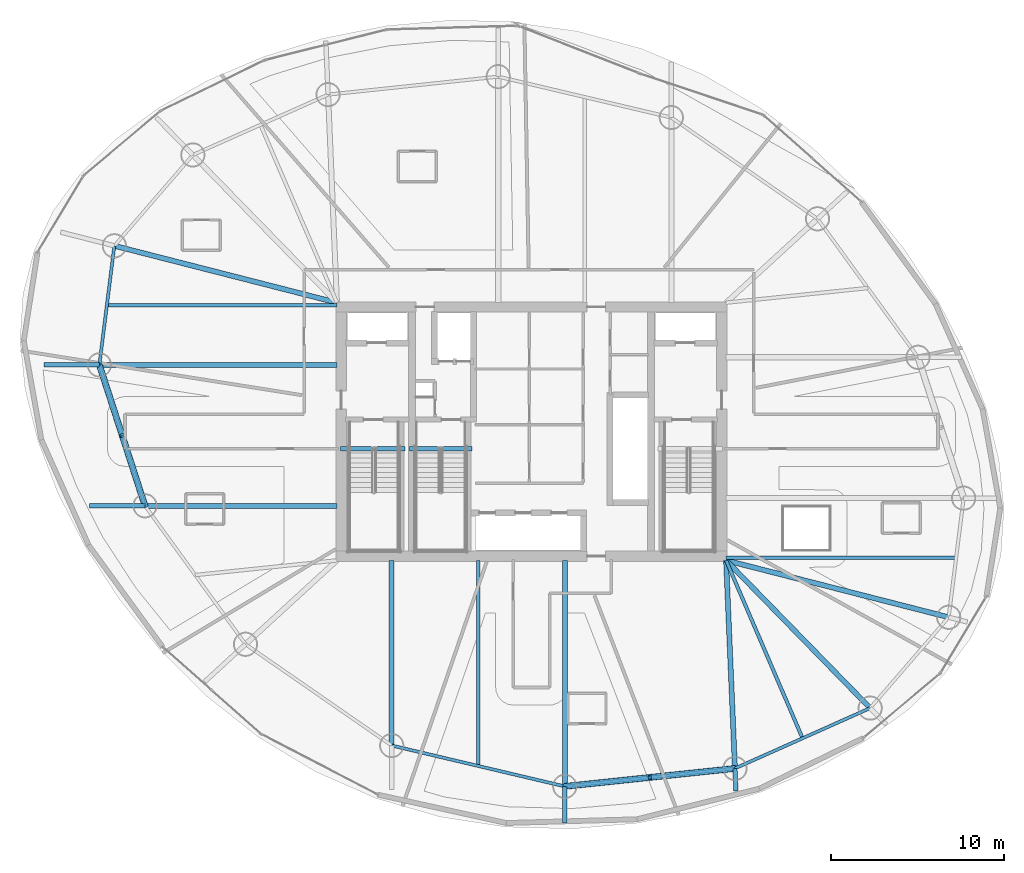
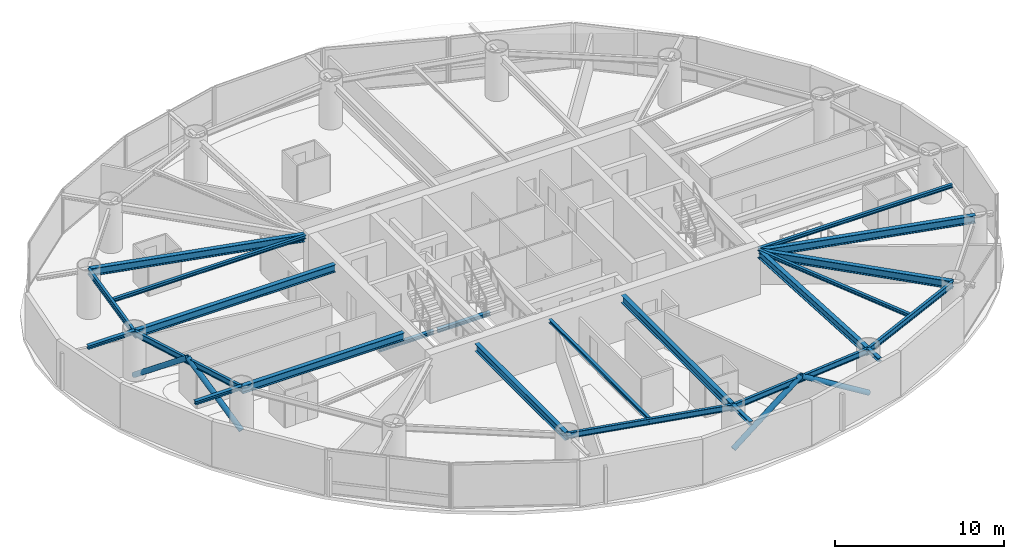
# One storey, part 4 of 20: 23 beams, 4 members.
"""IFC4 building model written with IfcOpenShell, lengths in metres."""

import ifcopenshell
import ifcopenshell.guid

model = None  # the IFC model being written
_history = None  # IfcOwnerHistory: only IFC2X3 demands one
_inside = {}  # id of a spatial element -> (the spatial element, [elements in it])
_under = {}  # id of a project, library or spatial element -> (it, [spatial elements below it])
_declared = {}  # id of a project -> (the project, [libraries it declares])
_typed = {}  # id of a type object -> (the type object, [elements of that type])
_made_of = {}  # id of a material, layer set ... -> (it, [elements and type objects made of it])


def new_model(schema):
    """Start an empty IFC model of exactly this schema.

    Asked for "IFC4X3", IfcOpenShell would pick the latest addendum, in which some entities
    have other attributes; the version numbers below select the first issue.
    IFC2X3 requires an IfcOwnerHistory on every rooted entity: one is made here for all.
    """
    global model, _history
    if schema == "IFC4X3":
        model = ifcopenshell.file(schema_version=(4, 3, 0, 0))
    else:
        model = ifcopenshell.file(schema=schema)
    _inside.clear()
    _under.clear()
    _declared.clear()
    _typed.clear()
    _made_of.clear()
    _history = None
    if model.schema == "IFC2X3":
        org = make("IfcOrganization", Name="unknown")
        user = make(
            "IfcPersonAndOrganization",
            ThePerson=make("IfcPerson", FamilyName="unknown"),
            TheOrganization=org,
        )
        app = make(
            "IfcApplication",
            ApplicationDeveloper=org,
            Version="unknown",
            ApplicationFullName="unknown",
            ApplicationIdentifier="unknown",
        )
        _history = make(
            "IfcOwnerHistory",
            OwningUser=user,
            OwningApplication=app,
            ChangeAction="ADDED",
            CreationDate=0,
        )
    return model


def make(cls, **values):
    """One entity of the class cls with the attributes given. An attribute that is None is left unset."""
    return model.create_entity(
        cls, **{name: value for name, value in values.items() if value is not None}
    )


def rooted(cls, **values):
    """An entity with a GlobalId (a new one), such as an element, a storey or a relation."""
    return make(cls, GlobalId=ifcopenshell.guid.new(), OwnerHistory=_history, **values)


def si_unit(unit_type, name, prefix=None):
    """IfcSIUnit, for example si_unit("LENGTHUNIT", "METRE", prefix="MILLI")."""
    return make("IfcSIUnit", UnitType=unit_type, Prefix=prefix, Name=name)


def assignment(units):
    """IfcUnitAssignment: the units of a project."""
    return None if units is None else make("IfcUnitAssignment", Units=units)


def point(xyz):
    """IfcCartesianPoint."""
    return None if xyz is None else make("IfcCartesianPoint", Coordinates=xyz)


def direction(xyz):
    """IfcDirection."""
    return None if xyz is None else make("IfcDirection", DirectionRatios=xyz)


def frame(location, z_axis=None, x_axis=None):
    """IfcAxis2Placement3D, a coordinate frame: its origin and axes. An axis left out is left unset."""
    return make(
        "IfcAxis2Placement3D",
        Location=point(location),
        Axis=direction(z_axis),
        RefDirection=direction(x_axis),
    )


def frame_2d(location, x_axis=None):
    """IfcAxis2Placement2D, a coordinate frame in the plane: its origin and x axis."""
    return make(
        "IfcAxis2Placement2D", Location=point(location), RefDirection=direction(x_axis)
    )


def origin():
    """The frame at (0, 0, 0) with its axes left unset."""
    return frame((0.0, 0.0, 0.0))


def origin_2d():
    """The frame at (0, 0) in the plane with its x axis left unset."""
    return frame_2d((0.0, 0.0))


def place(relative_to, where):
    """IfcLocalPlacement: puts the frame where relative to a parent placement (None: the world)."""
    return make(
        "IfcLocalPlacement", PlacementRelTo=relative_to, RelativePlacement=where
    )


def context(
    kind, dimensions, precision=None, world=None, true_north=None, identifier=None
):
    """IfcGeometricRepresentationContext, for example the 3D "Model" context."""
    return make(
        "IfcGeometricRepresentationContext",
        ContextIdentifier=identifier,
        ContextType=kind,
        CoordinateSpaceDimension=dimensions,
        Precision=precision,
        WorldCoordinateSystem=world,
        TrueNorth=true_north,
    )


def subcontext(parent, identifier, kind, view, scale=None):
    """IfcGeometricRepresentationSubContext, for example "Body" below "Model"."""
    return make(
        "IfcGeometricRepresentationSubContext",
        ContextIdentifier=identifier,
        ContextType=kind,
        ParentContext=parent,
        TargetScale=scale,
        TargetView=view,
    )


def project(units=None, contexts=None):
    """IfcProject with its units and contexts."""
    return rooted(
        "IfcProject",
        Name="project",
        RepresentationContexts=contexts,
        UnitsInContext=assignment(units),
    )


def spatial(cls, under=None, at=None, **own):
    """A site, building, storey or space (cls), placed at a placement, below another one or the project."""
    s = rooted(cls, ObjectPlacement=at, **own)
    if under is not None:
        _under.setdefault(under.id(), (under, []))[1].append(s)
    return s


def profile(cls, at=None, kind="AREA", **sizes):
    """A parametric profile (cls). Its sizes go by their IFC names, for example OverallWidth=200.0."""
    return make(cls, ProfileType=kind, Position=at, **sizes)


def hollow_circle(**sizes):
    """IfcCircleHollowProfileDef."""
    return profile("IfcCircleHollowProfileDef", **sizes)


def i_section(**sizes):
    """IfcIShapeProfileDef."""
    return profile("IfcIShapeProfileDef", **sizes)


def extrude(swept, where, along, depth):
    """IfcExtrudedAreaSolid: the profile swept, set in the frame where, extruded along a direction by depth."""
    return make(
        "IfcExtrudedAreaSolid",
        SweptArea=swept,
        Position=where,
        ExtrudedDirection=direction(along),
        Depth=depth,
    )


def shape(context_of_items, identifier, shape_type, items):
    """IfcShapeRepresentation: the items that make up one representation, for example the "Body"."""
    return make(
        "IfcShapeRepresentation",
        ContextOfItems=context_of_items,
        RepresentationIdentifier=identifier,
        RepresentationType=shape_type,
        Items=items,
    )


def material(Name=None, Category=None):
    """IfcMaterial."""
    return make("IfcMaterial", Name=Name, Category=Category)


def material_profile(
    of_material, cross_section, Name=None, Category=None, Priority=None
):
    """IfcMaterialProfile: a cross section and its material."""
    return make(
        "IfcMaterialProfile",
        Name=Name,
        Material=of_material,
        Profile=cross_section,
        Priority=Priority,
        Category=Category,
    )


def profile_set(profiles, Name=None, composite=None):
    """IfcMaterialProfileSet."""
    return make(
        "IfcMaterialProfileSet",
        Name=Name,
        MaterialProfiles=profiles,
        CompositeProfile=composite,
    )


def made_of(thing, what):
    """Note that an element or type object is made of a material, layer set ...; save() writes the relation."""
    if what is not None:
        _made_of.setdefault(what.id(), (what, []))[1].append(thing)
    return thing


def type_object(cls, material=None, **own):
    """A type object (cls), such as IfcWallType, which elements share."""
    return made_of(rooted(cls, **own), material)


def element(
    cls,
    number,
    at=None,
    inside=None,
    cuts=None,
    type_object=None,
    material=None,
    context=None,
    identifier="Body",
    shape_type=None,
    held_by="IfcProductDefinitionShape",
    body=None,
    shapes=None,
    **own,
):
    """One element of the class cls, such as IfcWall. Its Tag is "e" and its number.

    at: its placement. inside: the storey or other place that contains it. cuts: it is an
    opening in that element (IfcRelVoidsElement). A single representation is given by context,
    identifier, shape_type and body (its items); several are given by shapes. held_by: the class
    of the entity that holds the representations. save() writes the other relations.
    """
    e = rooted(cls, Tag="e%d" % number, ObjectPlacement=at, **own)
    if body is not None:
        shapes = [shape(context, identifier, shape_type, body)]
    if shapes is not None:
        e.Representation = make(held_by, Representations=shapes)
    if inside is not None:
        _inside.setdefault(inside.id(), (inside, []))[1].append(e)
    if cuts is not None:
        rooted(
            "IfcRelVoidsElement", RelatingBuildingElement=cuts, RelatedOpeningElement=e
        )
    if type_object is not None:
        _typed.setdefault(type_object.id(), (type_object, []))[1].append(e)
    return made_of(e, material)


def aggregate(whole, parts):
    """IfcRelAggregates: a whole, such as a stair, and the parts it consists of."""
    return rooted("IfcRelAggregates", RelatingObject=whole, RelatedObjects=parts)


def save(model, path):
    """Write the relations noted so far, then the file.

    IfcRelAggregates (storeys below a building ...), IfcRelContainedInSpatialStructure (elements
    in a storey), IfcRelDefinesByType, IfcRelAssociatesMaterial and IfcRelDeclares: one each for
    every whole, place, type object, material and project.
    """
    for whole, parts in _under.values():
        aggregate(whole, parts)
    for where, things in _inside.values():
        rooted(
            "IfcRelContainedInSpatialStructure",
            RelatedElements=things,
            RelatingStructure=where,
        )
    for kind, things in _typed.values():
        rooted("IfcRelDefinesByType", RelatedObjects=things, RelatingType=kind)
    for what, things in _made_of.values():
        rooted("IfcRelAssociatesMaterial", RelatedObjects=things, RelatingMaterial=what)
    for by, libraries in _declared.values():
        rooted("IfcRelDeclares", RelatingContext=by, RelatedDefinitions=libraries)
    model.write(path)


model = new_model("IFC4")

# Units and contexts
model_context = context("Model", 3, precision=1e-05, world=origin(), true_north=direction((0.0, 1.0)))
body_context = subcontext(model_context, "Body", "Model", "MODEL_VIEW")
ifc_project = project(units=[si_unit("LENGTHUNIT", "METRE"), si_unit("AREAUNIT", "SQUARE_METRE"), si_unit("VOLUMEUNIT", "CUBIC_METRE"), si_unit("PLANEANGLEUNIT", "RADIAN"), si_unit("MASSUNIT", "GRAM", prefix="KILO")], contexts=[model_context])

# Site, building, storey
site_placement = place(None, origin())
site = spatial("IfcSite", under=ifc_project, at=site_placement, CompositionType="ELEMENT")
building_placement = place(site_placement, origin())
building = spatial("IfcBuilding", under=site, at=building_placement, Name="Bramvorn Convention Spire", CompositionType="ELEMENT")
storey_placement = place(building_placement, frame((0.0, 0.0, 113.300048828125)))
storey = spatial("IfcBuildingStorey", under=building, at=storey_placement, Name="L27", CompositionType="ELEMENT", Elevation=113.300048828125)

# Beams
ifc_material = material(Name="Steel CSA G40.21 Grade 350 (350W)", Category="steel")
ifc_material_profile_1 = material_profile(ifc_material, i_section(OverallWidth=0.201904296875, OverallDepth=0.2470703125, WebThickness=0.00732421875, FlangeThickness=0.010986328125, FilletRadius=0.011962890625, at=origin_2d()))
ifc_profile_set_1 = profile_set([ifc_material_profile_1], Name="Steel CSA G40.21 Grade 350 (350W) - W250X49")
beam_type_1 = type_object("IfcBeamType", Name="BM-W250X49", PredefinedType="JOIST", material=ifc_profile_set_1)
for number, where, z_axis, x_axis, name in (
    (1, (49.25, 18.705078125, 3.136474609375), (1.0, 0.0, 0.0), (0.0, 1.0, 0.0), "L27 composite floor joist 01"),
    (2, (26.75, 33.294921875, 3.136474609375), (-1.0, 0.0, 0.0), (0.0, -1.0, 0.0), "L27 composite floor joist 09"),
):
    element("IfcBeam", number, at=place(storey_placement, frame(where, z_axis=z_axis, x_axis=x_axis)), inside=storey, type_object=beam_type_1, Name=name, PredefinedType="JOIST", context=body_context, shape_type="SweptSolid", body=[
        extrude(i_section(OverallWidth=0.201904296875, OverallDepth=0.2470703125, WebThickness=0.00732421875, FlangeThickness=0.010986328125, FilletRadius=0.011962890625, at=origin_2d()), origin(), (0.0, 0.0, 1.0), 13.30078125),
    ])
beam_1_placement = place(storey_placement, frame((34.920654296875, 18.550048828125, 3.136474609375), z_axis=(0.0, -1.0, 0.0), x_axis=(1.0, 0.0, 0.0)))
element("IfcBeam", 3, at=beam_1_placement, inside=storey, type_object=beam_type_1, Name="L27 composite floor joist 13", PredefinedType="JOIST", context=body_context, shape_type="SweptSolid", body=[
    extrude(i_section(OverallWidth=0.201904296875, OverallDepth=0.2470703125, WebThickness=0.00732421875, FlangeThickness=0.010986328125, FilletRadius=0.011962890625, at=origin_2d()), origin(), (0.0, 0.0, 1.0), 11.8857421875),
])
beam_2_placement = place(storey_placement, frame((49.25, 18.550048828125, 3.136474609375), z_axis=(0.394937739893, -0.918707886985, 0.0), x_axis=(0.918707886985, 0.394937739893, 0.0)))
element("IfcBeam", 4, at=beam_2_placement, inside=storey, type_object=beam_type_1, Name="L27 composite floor joist 15", PredefinedType="JOIST", context=body_context, shape_type="SweptSolid", body=[
    extrude(i_section(OverallWidth=0.201904296875, OverallDepth=0.2470703125, WebThickness=0.00732421875, FlangeThickness=0.010986328125, FilletRadius=0.011962890625, at=origin_2d()), origin(), (0.0, 0.0, 1.0), 11.19384765625),
])
ifc_material_profile_2 = material_profile(ifc_material, i_section(OverallWidth=0.25390625, OverallDepth=0.2529296875, WebThickness=0.008544921875, FlangeThickness=0.01416015625, FilletRadius=0.011962890625, at=origin_2d()))
ifc_profile_set_2 = profile_set([ifc_material_profile_2], Name="Steel CSA G40.21 Grade 350 (350W) - W250X73")
beam_type_2 = type_object("IfcBeamType", Name="BM-W250X73", PredefinedType="BEAM", material=ifc_profile_set_2)
for number, where, z_axis, x_axis, name in (
    (5, (13.016357421875, 29.851806640625, 3.133544921875), (-1.0, 0.0, 0.0), (0.0, -1.0, 0.0), "L27 slab-edge cantilever tip beam MC10"),
    (6, (15.654296875, 21.706787109375, 3.133544921875), (-1.0, 0.0, 0.0), (0.0, -1.0, 0.0), "L27 slab-edge cantilever tip beam MC11"),
):
    element("IfcBeam", number, at=place(storey_placement, frame(where, z_axis=z_axis, x_axis=x_axis)), inside=storey, type_object=beam_type_2, Name=name, PredefinedType="BEAM", context=body_context, shape_type="SweptSolid", body=[
        extrude(i_section(OverallWidth=0.25390625, OverallDepth=0.2529296875, WebThickness=0.008544921875, FlangeThickness=0.01416015625, FilletRadius=0.011962890625, at=origin_2d()), origin(), (0.0, 0.0, 1.0), 3.199951171875),
    ])
beam_3_placement = place(storey_placement, frame((39.924072265625, 5.482666015625, 3.133544921875), z_axis=(0.0, -1.0, 0.0), x_axis=(1.0, 0.0, 0.0)))
element("IfcBeam", 7, at=beam_3_placement, inside=storey, type_object=beam_type_2, Name="L27 slab-edge cantilever tip beam MC14", PredefinedType="BEAM", context=body_context, shape_type="SweptSolid", body=[
    extrude(i_section(OverallWidth=0.25390625, OverallDepth=0.2529296875, WebThickness=0.008544921875, FlangeThickness=0.01416015625, FilletRadius=0.011962890625, at=origin_2d()), origin(), (0.0, 0.0, 1.0), 2.125),
])
beam_4_placement = place(storey_placement, frame((49.76171875, 6.521240234375, 3.133544921875), z_axis=(0.04255054589, -0.99909431539, 0.0), x_axis=(0.99909431539, 0.04255054589, 0.0)))
element("IfcBeam", 8, at=beam_4_placement, inside=storey, type_object=beam_type_2, Name="L27 slab-edge cantilever tip beam MC15", PredefinedType="BEAM", context=body_context, shape_type="SweptSolid", body=[
    extrude(i_section(OverallWidth=0.25390625, OverallDepth=0.2529296875, WebThickness=0.008544921875, FlangeThickness=0.01416015625, FilletRadius=0.011962890625, at=origin_2d()), origin(), (0.0, 0.0, 1.0), 1.302490234375),
])
beam_5_placement = place(storey_placement, frame((26.949951171875, 25.010009765625, -0.12646484375), z_axis=(1.0, 0.0, 0.0), x_axis=(0.0, 1.0, 0.0)))
element("IfcBeam", 9, at=beam_5_placement, inside=storey, type_object=beam_type_2, Name="L27 ST1 stair arrival header beam", PredefinedType="BEAM", context=body_context, shape_type="SweptSolid", body=[
    extrude(i_section(OverallWidth=0.25390625, OverallDepth=0.2529296875, WebThickness=0.008544921875, FlangeThickness=0.01416015625, FilletRadius=0.011962890625, at=origin_2d()), origin(), (0.0, 0.0, 1.0), 3.739990234375),
])
beam_6_placement = place(storey_placement, frame((30.949951171875, 25.010009765625, -0.12646484375), z_axis=(1.0, 0.0, 0.0), x_axis=(0.0, 1.0, 0.0)))
element("IfcBeam", 10, at=beam_6_placement, inside=storey, type_object=beam_type_2, Name="L27 ST3 stair arrival header beam", PredefinedType="BEAM", context=body_context, shape_type="SweptSolid", body=[
    extrude(i_section(OverallWidth=0.25390625, OverallDepth=0.2529296875, WebThickness=0.008544921875, FlangeThickness=0.01416015625, FilletRadius=0.011962890625, at=origin_2d()), origin(), (0.0, 0.0, 1.0), 3.610107421875),
])
ifc_material_profile_3 = material_profile(ifc_material, i_section(OverallWidth=0.180908203125, OverallDepth=0.4169921875, WebThickness=0.010986328125, FlangeThickness=0.018310546875, FilletRadius=0.01611328125, at=origin_2d()))
ifc_profile_set_3 = profile_set([ifc_material_profile_3], Name="Steel CSA G40.21 Grade 350 (350W) - W410X85")
beam_type_3 = type_object("IfcBeamType", Name="BM-W410X85", PredefinedType="JOIST", material=ifc_profile_set_3)
beam_7_placement = place(storey_placement, frame((13.88232421875, 36.73779296875, 3.051513671875), z_axis=(-0.124775053879, -0.992185056292, 0.0), x_axis=(0.992185056292, -0.124775053879, 0.0)))
element("IfcBeam", 11, at=beam_7_placement, inside=storey, type_object=beam_type_3, Name="L27 mega-column ring beam 09", PredefinedType="JOIST", context=body_context, shape_type="SweptSolid", body=[
    extrude(i_section(OverallWidth=0.180908203125, OverallDepth=0.4169921875, WebThickness=0.010986328125, FlangeThickness=0.018310546875, FilletRadius=0.01611328125, at=origin_2d()), origin(), (0.0, 0.0, 1.0), 6.940185546875),
])
beam_8_placement = place(storey_placement, frame((13.016357421875, 29.851806640625, 3.051513671875), z_axis=(0.308114853612, -0.951349166701, 0.0), x_axis=(0.951349166701, 0.308114853612, 0.0)))
element("IfcBeam", 12, at=beam_8_placement, inside=storey, type_object=beam_type_3, Name="L27 mega-column ring beam 10", PredefinedType="JOIST", context=body_context, shape_type="SweptSolid", body=[
    extrude(i_section(OverallWidth=0.180908203125, OverallDepth=0.4169921875, WebThickness=0.010986328125, FlangeThickness=0.018310546875, FilletRadius=0.01611328125, at=origin_2d()), origin(), (0.0, 0.0, 1.0), 8.5615234375),
])
beam_9_placement = place(storey_placement, frame((29.917236328125, 7.845947265625, 3.051513671875), z_axis=(0.97322750491, -0.229843911572, 0.0), x_axis=(0.229843911572, 0.97322750491, 0.0)))
element("IfcBeam", 13, at=beam_9_placement, inside=storey, type_object=beam_type_3, Name="L27 mega-column ring beam 13", PredefinedType="JOIST", context=body_context, shape_type="SweptSolid", body=[
    extrude(i_section(OverallWidth=0.180908203125, OverallDepth=0.4169921875, WebThickness=0.010986328125, FlangeThickness=0.018310546875, FilletRadius=0.01611328125, at=origin_2d()), origin(), (0.0, 0.0, 1.0), 10.2822265625),
])
beam_10_placement = place(storey_placement, frame((39.924072265625, 5.482666015625, 3.051513671875), z_axis=(0.994473491975, 0.104987969596, 0.0), x_axis=(-0.104987969596, 0.994473491975, 0.0)))
element("IfcBeam", 14, at=beam_10_placement, inside=storey, type_object=beam_type_3, Name="L27 mega-column ring beam 14", PredefinedType="JOIST", context=body_context, shape_type="SweptSolid", body=[
    extrude(i_section(OverallWidth=0.180908203125, OverallDepth=0.4169921875, WebThickness=0.010986328125, FlangeThickness=0.018310546875, FilletRadius=0.01611328125, at=origin_2d()), origin(), (0.0, 0.0, 1.0), 9.892333984375),
])
beam_11_placement = place(storey_placement, frame((49.76171875, 6.521240234375, 3.051513671875), z_axis=(0.913169534701, 0.407579931908, 0.0), x_axis=(-0.407579931908, 0.913169534701, 0.0)))
element("IfcBeam", 15, at=beam_11_placement, inside=storey, type_object=beam_type_3, Name="L27 mega-column ring beam 15", PredefinedType="JOIST", context=body_context, shape_type="SweptSolid", body=[
    extrude(i_section(OverallWidth=0.180908203125, OverallDepth=0.4169921875, WebThickness=0.010986328125, FlangeThickness=0.018310546875, FilletRadius=0.01611328125, at=origin_2d()), origin(), (0.0, 0.0, 1.0), 8.5615234375),
])
ifc_material_profile_4 = material_profile(ifc_material, i_section(OverallWidth=0.2919921875, OverallDepth=0.551025390625, WebThickness=0.01513671875, FlangeThickness=0.0244140625, FilletRadius=0.01904296875, at=origin_2d()))
ifc_profile_set_4 = profile_set([ifc_material_profile_4], Name="Steel CSA G40.21 Grade 350 (350W) - W530X182")
beam_type_4 = type_object("IfcBeamType", Name="BM-W530X182", PredefinedType="BEAM", material=ifc_profile_set_4)
for number, where, z_axis, x_axis, name in (
    (16, (49.25, 18.550048828125, 2.984375), (0.968872976577, -0.247558387576, 0.0), (0.247558387576, 0.968872976577, 0.0), "L27 radial floor girder MC01"),
    (17, (26.75, 33.449951171875, 2.984375), (-0.968872976577, 0.247558387576, 0.0), (-0.247558387576, -0.968872976577, 0.0), "L27 radial floor girder MC09"),
):
    element("IfcBeam", number, at=place(storey_placement, frame(where, z_axis=z_axis, x_axis=x_axis)), inside=storey, type_object=beam_type_4, Name=name, PredefinedType="BEAM", context=body_context, shape_type="SweptSolid", body=[
        extrude(i_section(OverallWidth=0.2919921875, OverallDepth=0.551025390625, WebThickness=0.01513671875, FlangeThickness=0.0244140625, FilletRadius=0.01904296875, at=origin_2d()), origin(), (0.0, 0.0, 1.0), 13.281005859375),
    ])
beam_12_placement = place(storey_placement, frame((26.75, 29.851806640625, 2.984375), z_axis=(-1.0, 0.0, 0.0), x_axis=(0.0, -1.0, 0.0)))
element("IfcBeam", 18, at=beam_12_placement, inside=storey, type_object=beam_type_4, Name="L27 radial floor girder MC10", PredefinedType="BEAM", context=body_context, shape_type="SweptSolid", body=[
    extrude(i_section(OverallWidth=0.2919921875, OverallDepth=0.551025390625, WebThickness=0.01513671875, FlangeThickness=0.0244140625, FilletRadius=0.01904296875, at=origin_2d()), origin(), (0.0, 0.0, 1.0), 13.733642578125),
])
beam_13_placement = place(storey_placement, frame((26.75, 21.706787109375, 2.984375), z_axis=(-1.0, 0.0, 0.0), x_axis=(0.0, -1.0, 0.0)))
element("IfcBeam", 19, at=beam_13_placement, inside=storey, type_object=beam_type_4, Name="L27 radial floor girder MC11", PredefinedType="BEAM", context=body_context, shape_type="SweptSolid", body=[
    extrude(i_section(OverallWidth=0.2919921875, OverallDepth=0.551025390625, WebThickness=0.01513671875, FlangeThickness=0.0244140625, FilletRadius=0.01904296875, at=origin_2d()), origin(), (0.0, 0.0, 1.0), 11.095703125),
])
beam_14_placement = place(storey_placement, frame((29.917236328125, 18.550048828125, 2.984375), z_axis=(0.0, -1.0, 0.0), x_axis=(1.0, 0.0, 0.0)))
element("IfcBeam", 20, at=beam_14_placement, inside=storey, type_object=beam_type_4, Name="L27 radial floor girder MC13", PredefinedType="BEAM", context=body_context, shape_type="SweptSolid", body=[
    extrude(i_section(OverallWidth=0.2919921875, OverallDepth=0.551025390625, WebThickness=0.01513671875, FlangeThickness=0.0244140625, FilletRadius=0.01904296875, at=origin_2d()), origin(), (0.0, 0.0, 1.0), 10.7041015625),
])
beam_15_placement = place(storey_placement, frame((39.924072265625, 18.550048828125, 2.984375), z_axis=(0.0, -1.0, 0.0), x_axis=(1.0, 0.0, 0.0)))
element("IfcBeam", 21, at=beam_15_placement, inside=storey, type_object=beam_type_4, Name="L27 radial floor girder MC14", PredefinedType="BEAM", context=body_context, shape_type="SweptSolid", body=[
    extrude(i_section(OverallWidth=0.2919921875, OverallDepth=0.551025390625, WebThickness=0.01513671875, FlangeThickness=0.0244140625, FilletRadius=0.01904296875, at=origin_2d()), origin(), (0.0, 0.0, 1.0), 13.0673828125),
])
beam_16_placement = place(storey_placement, frame((49.25, 18.550048828125, 2.984375), z_axis=(0.042502657955, -0.999096353745, 0.0), x_axis=(0.999096353745, 0.042502657955, 0.0)))
element("IfcBeam", 22, at=beam_16_placement, inside=storey, type_object=beam_type_4, Name="L27 radial floor girder MC15", PredefinedType="BEAM", context=body_context, shape_type="SweptSolid", body=[
    extrude(i_section(OverallWidth=0.2919921875, OverallDepth=0.551025390625, WebThickness=0.01513671875, FlangeThickness=0.0244140625, FilletRadius=0.01904296875, at=origin_2d()), origin(), (0.0, 0.0, 1.0), 12.039794921875),
])
beam_17_placement = place(storey_placement, frame((49.25, 18.550048828125, 2.984375), z_axis=(0.698272445638, -0.715832097397, 0.0), x_axis=(0.715832097397, 0.698272445638, 0.0)))
element("IfcBeam", 23, at=beam_17_placement, inside=storey, type_object=beam_type_4, Name="L27 radial floor girder MC16", PredefinedType="BEAM", context=body_context, shape_type="SweptSolid", body=[
    extrude(i_section(OverallWidth=0.2919921875, OverallDepth=0.551025390625, WebThickness=0.01513671875, FlangeThickness=0.0244140625, FilletRadius=0.01904296875, at=origin_2d()), origin(), (0.0, 0.0, 1.0), 11.92919921875),
])

# Members
ifc_material_profile_5 = material_profile(ifc_material, hollow_circle(Radius=0.177734375, WallThickness=0.015869140625, at=origin_2d()))
ifc_profile_set_5 = profile_set([ifc_material_profile_5], Name="Steel CSA G40.21 Grade 350 (350W) - CHS356X16")
member_type = type_object("IfcMemberType", Name="MBR-CHS356X16", PredefinedType="BRACE", material=ifc_profile_set_5)
for number, where, z_axis, x_axis, name in (
    (24, (13.016357421875, 29.851806640625, 0.0), (0.245105274589, -0.75686802766, 0.605866481227), (0.951357525158, 0.308089044476, 0.0), "L27 perimeter Gothic lancet brace 10A"),
    (25, (15.654296875, 21.706787109375, 0.0), (-0.245147921079, 0.756859609759, 0.605859742768), (-0.951340807692, -0.308140662068, 0.0), "L27 perimeter Gothic lancet brace 10B"),
):
    element("IfcMember", number, at=place(storey_placement, frame(where, z_axis=z_axis, x_axis=x_axis)), inside=storey, type_object=member_type, Name=name, PredefinedType="BRACE", context=body_context, shape_type="SweptSolid", body=[
        extrude(hollow_circle(Radius=0.177734375, WallThickness=0.015869140625, at=origin_2d()), origin(), (0.0, 0.0, 1.0), 5.380859375),
    ])
member_1_placement = place(storey_placement, frame((39.924072265625, 5.482666015625, 0.0), z_axis=(0.830346972509, 0.087658725954, 0.550308870553), x_axis=(-0.104985392894, 0.994473763997, 0.0)))
element("IfcMember", 26, at=member_1_placement, inside=storey, type_object=member_type, Name="L27 perimeter Gothic lancet brace 14A", PredefinedType="BRACE", context=body_context, shape_type="SweptSolid", body=[
    extrude(hollow_circle(Radius=0.177734375, WallThickness=0.015869140625, at=origin_2d()), origin(), (0.0, 0.0, 1.0), 5.924072265625),
])
member_2_placement = place(storey_placement, frame((49.76171875, 6.521240234375, 0.0), z_axis=(-0.830334174424, -0.087661725766, 0.550327702937), x_axis=(0.104990546424, -0.994473219932, 0.0)))
element("IfcMember", 27, at=member_2_placement, inside=storey, type_object=member_type, Name="L27 perimeter Gothic lancet brace 14B", PredefinedType="BRACE", context=body_context, shape_type="SweptSolid", body=[
    extrude(hollow_circle(Radius=0.177734375, WallThickness=0.015869140625, at=origin_2d()), origin(), (0.0, 0.0, 1.0), 5.923828125),
])

save(model, "model.ifc")
